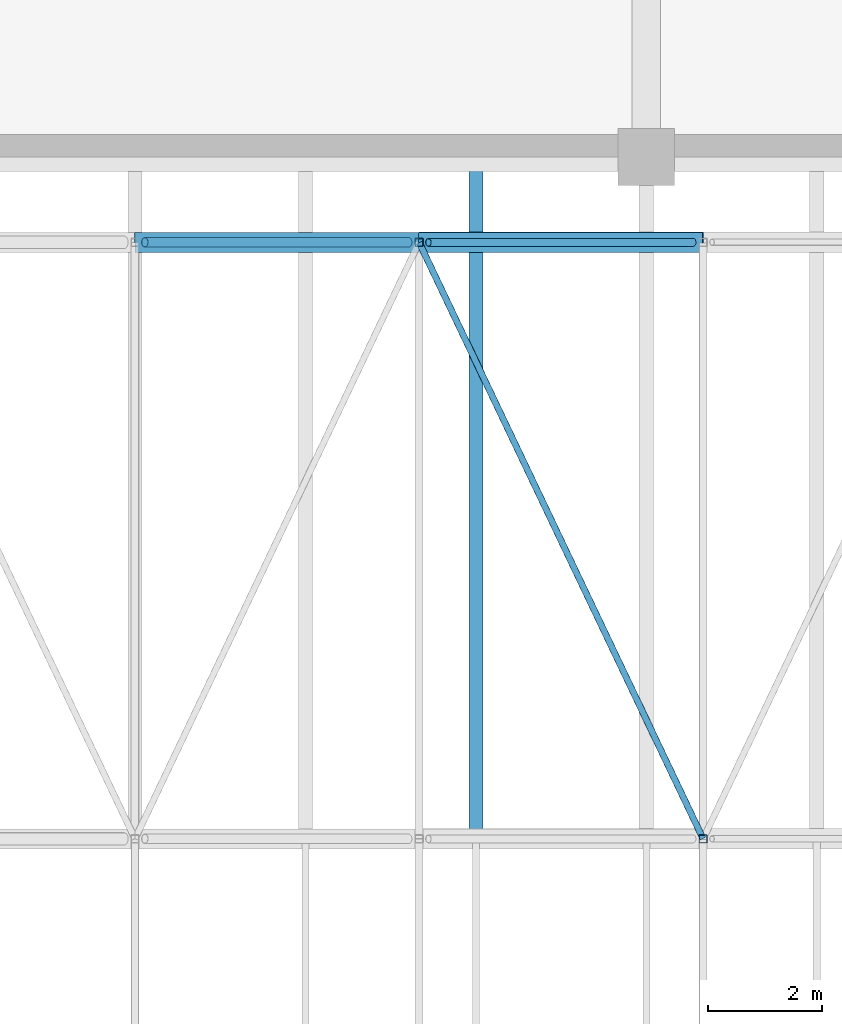
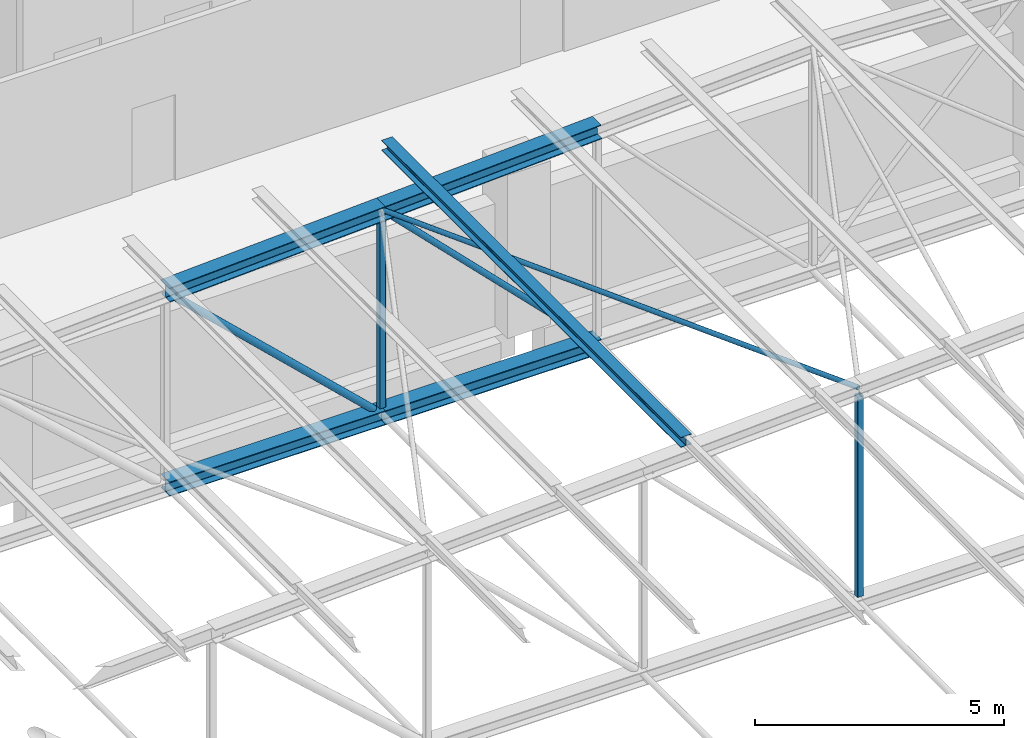
# One storey, part 113 of 156: 10 members.
"""IFC4 building model written with IfcOpenShell, lengths in metres."""

import ifcopenshell
import ifcopenshell.guid

model = None  # the IFC model being written
_history = None  # IfcOwnerHistory: only IFC2X3 demands one
_inside = {}  # id of a spatial element -> (the spatial element, [elements in it])
_under = {}  # id of a project, library or spatial element -> (it, [spatial elements below it])
_declared = {}  # id of a project -> (the project, [libraries it declares])
_typed = {}  # id of a type object -> (the type object, [elements of that type])
_made_of = {}  # id of a material, layer set ... -> (it, [elements and type objects made of it])


def new_model(schema):
    """Start an empty IFC model of exactly this schema.

    Asked for "IFC4X3", IfcOpenShell would pick the latest addendum, in which some entities
    have other attributes; the version numbers below select the first issue.
    IFC2X3 requires an IfcOwnerHistory on every rooted entity: one is made here for all.
    """
    global model, _history
    if schema == "IFC4X3":
        model = ifcopenshell.file(schema_version=(4, 3, 0, 0))
    else:
        model = ifcopenshell.file(schema=schema)
    _inside.clear()
    _under.clear()
    _declared.clear()
    _typed.clear()
    _made_of.clear()
    _history = None
    if model.schema == "IFC2X3":
        org = make("IfcOrganization", Name="unknown")
        user = make(
            "IfcPersonAndOrganization",
            ThePerson=make("IfcPerson", FamilyName="unknown"),
            TheOrganization=org,
        )
        app = make(
            "IfcApplication",
            ApplicationDeveloper=org,
            Version="unknown",
            ApplicationFullName="unknown",
            ApplicationIdentifier="unknown",
        )
        _history = make(
            "IfcOwnerHistory",
            OwningUser=user,
            OwningApplication=app,
            ChangeAction="ADDED",
            CreationDate=0,
        )
    return model


def make(cls, **values):
    """One entity of the class cls with the attributes given. An attribute that is None is left unset."""
    return model.create_entity(
        cls, **{name: value for name, value in values.items() if value is not None}
    )


def rooted(cls, **values):
    """An entity with a GlobalId (a new one), such as an element, a storey or a relation."""
    return make(cls, GlobalId=ifcopenshell.guid.new(), OwnerHistory=_history, **values)


def si_unit(unit_type, name, prefix=None):
    """IfcSIUnit, for example si_unit("LENGTHUNIT", "METRE", prefix="MILLI")."""
    return make("IfcSIUnit", UnitType=unit_type, Prefix=prefix, Name=name)


def assignment(units):
    """IfcUnitAssignment: the units of a project."""
    return None if units is None else make("IfcUnitAssignment", Units=units)


def point(xyz):
    """IfcCartesianPoint."""
    return None if xyz is None else make("IfcCartesianPoint", Coordinates=xyz)


def direction(xyz):
    """IfcDirection."""
    return None if xyz is None else make("IfcDirection", DirectionRatios=xyz)


def frame(location, z_axis=None, x_axis=None):
    """IfcAxis2Placement3D, a coordinate frame: its origin and axes. An axis left out is left unset."""
    return make(
        "IfcAxis2Placement3D",
        Location=point(location),
        Axis=direction(z_axis),
        RefDirection=direction(x_axis),
    )


def frame_2d(location, x_axis=None):
    """IfcAxis2Placement2D, a coordinate frame in the plane: its origin and x axis."""
    return make(
        "IfcAxis2Placement2D", Location=point(location), RefDirection=direction(x_axis)
    )


def origin():
    """The frame at (0, 0, 0) with its axes left unset."""
    return frame((0.0, 0.0, 0.0))


def origin_2d():
    """The frame at (0, 0) in the plane with its x axis left unset."""
    return frame_2d((0.0, 0.0))


def place(relative_to, where):
    """IfcLocalPlacement: puts the frame where relative to a parent placement (None: the world)."""
    return make(
        "IfcLocalPlacement", PlacementRelTo=relative_to, RelativePlacement=where
    )


def context(
    kind, dimensions, precision=None, world=None, true_north=None, identifier=None
):
    """IfcGeometricRepresentationContext, for example the 3D "Model" context."""
    return make(
        "IfcGeometricRepresentationContext",
        ContextIdentifier=identifier,
        ContextType=kind,
        CoordinateSpaceDimension=dimensions,
        Precision=precision,
        WorldCoordinateSystem=world,
        TrueNorth=true_north,
    )


def subcontext(parent, identifier, kind, view, scale=None):
    """IfcGeometricRepresentationSubContext, for example "Body" below "Model"."""
    return make(
        "IfcGeometricRepresentationSubContext",
        ContextIdentifier=identifier,
        ContextType=kind,
        ParentContext=parent,
        TargetScale=scale,
        TargetView=view,
    )


def project(units=None, contexts=None):
    """IfcProject with its units and contexts."""
    return rooted(
        "IfcProject",
        Name="project",
        RepresentationContexts=contexts,
        UnitsInContext=assignment(units),
    )


def spatial(cls, under=None, at=None, **own):
    """A site, building, storey or space (cls), placed at a placement, below another one or the project."""
    s = rooted(cls, ObjectPlacement=at, **own)
    if under is not None:
        _under.setdefault(under.id(), (under, []))[1].append(s)
    return s


def profile(cls, at=None, kind="AREA", **sizes):
    """A parametric profile (cls). Its sizes go by their IFC names, for example OverallWidth=200.0."""
    return make(cls, ProfileType=kind, Position=at, **sizes)


def hollow_rectangle(**sizes):
    """IfcRectangleHollowProfileDef."""
    return profile("IfcRectangleHollowProfileDef", **sizes)


def hollow_circle(**sizes):
    """IfcCircleHollowProfileDef."""
    return profile("IfcCircleHollowProfileDef", **sizes)


def i_section(**sizes):
    """IfcIShapeProfileDef."""
    return profile("IfcIShapeProfileDef", **sizes)


def extrude(swept, where, along, depth):
    """IfcExtrudedAreaSolid: the profile swept, set in the frame where, extruded along a direction by depth."""
    return make(
        "IfcExtrudedAreaSolid",
        SweptArea=swept,
        Position=where,
        ExtrudedDirection=direction(along),
        Depth=depth,
    )


def shape(context_of_items, identifier, shape_type, items):
    """IfcShapeRepresentation: the items that make up one representation, for example the "Body"."""
    return make(
        "IfcShapeRepresentation",
        ContextOfItems=context_of_items,
        RepresentationIdentifier=identifier,
        RepresentationType=shape_type,
        Items=items,
    )


def material(Name=None, Category=None):
    """IfcMaterial."""
    return make("IfcMaterial", Name=Name, Category=Category)


def material_profile(
    of_material, cross_section, Name=None, Category=None, Priority=None
):
    """IfcMaterialProfile: a cross section and its material."""
    return make(
        "IfcMaterialProfile",
        Name=Name,
        Material=of_material,
        Profile=cross_section,
        Priority=Priority,
        Category=Category,
    )


def profile_set(profiles, Name=None, composite=None):
    """IfcMaterialProfileSet."""
    return make(
        "IfcMaterialProfileSet",
        Name=Name,
        MaterialProfiles=profiles,
        CompositeProfile=composite,
    )


def made_of(thing, what):
    """Note that an element or type object is made of a material, layer set ...; save() writes the relation."""
    if what is not None:
        _made_of.setdefault(what.id(), (what, []))[1].append(thing)
    return thing


def type_object(cls, material=None, **own):
    """A type object (cls), such as IfcWallType, which elements share."""
    return made_of(rooted(cls, **own), material)


def element(
    cls,
    number,
    at=None,
    inside=None,
    cuts=None,
    type_object=None,
    material=None,
    context=None,
    identifier="Body",
    shape_type=None,
    held_by="IfcProductDefinitionShape",
    body=None,
    shapes=None,
    **own,
):
    """One element of the class cls, such as IfcWall. Its Tag is "e" and its number.

    at: its placement. inside: the storey or other place that contains it. cuts: it is an
    opening in that element (IfcRelVoidsElement). A single representation is given by context,
    identifier, shape_type and body (its items); several are given by shapes. held_by: the class
    of the entity that holds the representations. save() writes the other relations.
    """
    e = rooted(cls, Tag="e%d" % number, ObjectPlacement=at, **own)
    if body is not None:
        shapes = [shape(context, identifier, shape_type, body)]
    if shapes is not None:
        e.Representation = make(held_by, Representations=shapes)
    if inside is not None:
        _inside.setdefault(inside.id(), (inside, []))[1].append(e)
    if cuts is not None:
        rooted(
            "IfcRelVoidsElement", RelatingBuildingElement=cuts, RelatedOpeningElement=e
        )
    if type_object is not None:
        _typed.setdefault(type_object.id(), (type_object, []))[1].append(e)
    return made_of(e, material)


def aggregate(whole, parts):
    """IfcRelAggregates: a whole, such as a stair, and the parts it consists of."""
    return rooted("IfcRelAggregates", RelatingObject=whole, RelatedObjects=parts)


def save(model, path):
    """Write the relations noted so far, then the file.

    IfcRelAggregates (storeys below a building ...), IfcRelContainedInSpatialStructure (elements
    in a storey), IfcRelDefinesByType, IfcRelAssociatesMaterial and IfcRelDeclares: one each for
    every whole, place, type object, material and project.
    """
    for whole, parts in _under.values():
        aggregate(whole, parts)
    for where, things in _inside.values():
        rooted(
            "IfcRelContainedInSpatialStructure",
            RelatedElements=things,
            RelatingStructure=where,
        )
    for kind, things in _typed.values():
        rooted("IfcRelDefinesByType", RelatedObjects=things, RelatingType=kind)
    for what, things in _made_of.values():
        rooted("IfcRelAssociatesMaterial", RelatedObjects=things, RelatingMaterial=what)
    for by, libraries in _declared.values():
        rooted("IfcRelDeclares", RelatingContext=by, RelatedDefinitions=libraries)
    model.write(path)


model = new_model("IFC4")

# Units and contexts
model_context = context("Model", 3, precision=1e-05, world=origin(), true_north=direction((0.0, 1.0)))
body_context = subcontext(model_context, "Body", "Model", "MODEL_VIEW")
ifc_project = project(units=[si_unit("LENGTHUNIT", "METRE"), si_unit("AREAUNIT", "SQUARE_METRE"), si_unit("VOLUMEUNIT", "CUBIC_METRE"), si_unit("PLANEANGLEUNIT", "RADIAN"), si_unit("MASSUNIT", "GRAM", prefix="KILO")], contexts=[model_context])

# Site, building, storey
site_placement = place(None, origin())
site = spatial("IfcSite", under=ifc_project, at=site_placement, CompositionType="ELEMENT")
building_placement = place(site_placement, origin())
building = spatial("IfcBuilding", under=site, at=building_placement, Name="Lilac Gate Convention Centre", CompositionType="ELEMENT")
storey_placement = place(building_placement, frame((0.0, 0.0, 17.0)))
storey = spatial("IfcBuildingStorey", under=building, at=storey_placement, Name="L03", CompositionType="ELEMENT", Elevation=17.0)

# Members
ifc_material = material(Name="Steel Q355B", Category="steel")
ifc_material_profile_1 = material_profile(ifc_material, hollow_circle(Radius=0.05712890625, WallThickness=0.0048828125, at=origin_2d()), Name="CHS114.3x5")
ifc_profile_set_1 = profile_set([ifc_material_profile_1], Name="Steel Q355B")
member_type_1 = type_object("IfcMemberType", Name="Roof plane bracing CHS114.3x5", PredefinedType="BRACE", material=ifc_profile_set_1)
member_1_placement = place(storey_placement, frame((50.0029296875, 220.493896484375, 5.0), z_axis=(0.429830782979, -0.902653049237, 0.021516754095), x_axis=(0.902862072779, 0.429930317072, 0.0)))
element("IfcMember", 1, at=member_1_placement, inside=storey, type_object=member_type_1, Name="BR1 plan bracing bay 16 panel 5", PredefinedType="BRACE", context=body_context, shape_type="SweptSolid", body=[
    extrude(hollow_circle(Radius=0.05712890625, WallThickness=0.0048828125, at=origin_2d()), origin(), (0.0, 0.0, 1.0), 11.618896484375),
])
ifc_material_profile_2 = material_profile(ifc_material, i_section(OverallWidth=0.25, OverallDepth=0.25, WebThickness=0.009033203125, FlangeThickness=0.013916015625, FilletRadius=0.012939453125, at=origin_2d()), Name="HW250x250x9x14")
ifc_profile_set_2 = profile_set([ifc_material_profile_2], Name="Steel Q355B")
member_type_2 = type_object("IfcMemberType", Name="Roof purlin HW250x250x9x14", PredefinedType="PURLIN", material=ifc_profile_set_2)
member_2_placement = place(storey_placement, frame((51.0, 210.0, 5.35009765625), z_axis=(0.0, 1.0, 0.0), x_axis=(-1.0, 0.0, 0.0)))
element("IfcMember", 2, at=member_2_placement, inside=storey, type_object=member_type_2, Name="PU1 purlin bay 16 line 8", PredefinedType="PURLIN", context=body_context, shape_type="SweptSolid", body=[
    extrude(i_section(OverallWidth=0.25, OverallDepth=0.25, WebThickness=0.009033203125, FlangeThickness=0.013916015625, FilletRadius=0.012939453125, at=origin_2d()), origin(), (0.0, 0.0, 1.0), 12.0),
])
ifc_material_profile_3 = material_profile(ifc_material, i_section(OverallWidth=0.35009765625, OverallDepth=0.35009765625, WebThickness=0.011962890625, FlangeThickness=0.01904296875, FilletRadius=0.012939453125, at=origin_2d()), Name="HW350x350x12x19")
ifc_profile_set_3 = profile_set([ifc_material_profile_3], Name="Steel Q355B")
member_type_3 = type_object("IfcMemberType", Name="Truss bottom chord HW350x350x12x19", PredefinedType="CHORD", material=ifc_profile_set_3)
member_3_placement = place(storey_placement, frame((45.0, 220.5, 0.0), z_axis=(1.0, 0.0, 0.0), x_axis=(0.0, 1.0, 0.0)))
element("IfcMember", 3, at=member_3_placement, inside=storey, type_object=member_type_3, Name="TB2 truss 17 bottom chord 4", PredefinedType="CHORD", context=body_context, shape_type="SweptSolid", body=[
    extrude(i_section(OverallWidth=0.35009765625, OverallDepth=0.35009765625, WebThickness=0.011962890625, FlangeThickness=0.01904296875, FilletRadius=0.012939453125, at=origin_2d()), origin(), (0.0, 0.0, 1.0), 5.0),
])
ifc_material_profile_4 = material_profile(ifc_material, i_section(OverallWidth=0.35693359375, OverallDepth=0.35009765625, WebThickness=0.01904296875, FlangeThickness=0.01904296875, FilletRadius=0.012939453125, at=origin_2d()), Name="HW350x357x19x19")
ifc_profile_set_4 = profile_set([ifc_material_profile_4], Name="Steel Q355B")
member_type_4 = type_object("IfcMemberType", Name="Truss bottom chord HW350x357x19x19", PredefinedType="CHORD", material=ifc_profile_set_4)
member_4_placement = place(storey_placement, frame((50.0, 220.5, 0.0), z_axis=(1.0, 0.0, 0.0), x_axis=(0.0, 1.0, 0.0)))
element("IfcMember", 4, at=member_4_placement, inside=storey, type_object=member_type_4, Name="TB3 truss 17 bottom chord 5", PredefinedType="CHORD", context=body_context, shape_type="SweptSolid", body=[
    extrude(i_section(OverallWidth=0.35693359375, OverallDepth=0.35009765625, WebThickness=0.01904296875, FlangeThickness=0.01904296875, FilletRadius=0.012939453125, at=origin_2d()), origin(), (0.0, 0.0, 1.0), 5.0),
])
ifc_material_profile_5 = material_profile(ifc_material, hollow_circle(Radius=0.06982421875, WallThickness=0.006103515625, at=origin_2d()), Name="CHS139.7x6")
ifc_profile_set_5 = profile_set([ifc_material_profile_5], Name="Steel Q355B")
member_type_5 = type_object("IfcMemberType", Name="Truss diagonal CHS139.7x6", PredefinedType="BRACE", material=ifc_profile_set_5)
member_5_placement = place(storey_placement, frame((50.164306640625, 220.5, 4.835693359375), z_axis=(0.707106781187, 0.0, -0.707106781187), x_axis=(0.0, 1.0, 0.0)))
element("IfcMember", 5, at=member_5_placement, inside=storey, type_object=member_type_5, Name="TW5 truss 17 diagonal 5", PredefinedType="BRACE", context=body_context, shape_type="SweptSolid", body=[
    extrude(hollow_circle(Radius=0.06982421875, WallThickness=0.006103515625, at=origin_2d()), origin(), (0.0, 0.0, 1.0), 6.591064453125),
])
ifc_material_profile_6 = material_profile(ifc_material, hollow_circle(Radius=0.084228515625, WallThickness=0.006103515625, at=origin_2d()), Name="CHS168.3x6")
ifc_profile_set_6 = profile_set([ifc_material_profile_6], Name="Steel Q355B")
member_type_6 = type_object("IfcMemberType", Name="Truss diagonal CHS168.3x6", PredefinedType="BRACE", material=ifc_profile_set_6)
member_6_placement = place(storey_placement, frame((45.1728515625, 220.5, 4.585693359375), z_axis=(0.725020373275, 0.0, -0.688727419475), x_axis=(0.0, 1.0, 0.0)))
element("IfcMember", 6, at=member_6_placement, inside=storey, type_object=member_type_6, Name="TW4 truss 17 diagonal 4", PredefinedType="BRACE", context=body_context, shape_type="SweptSolid", body=[
    extrude(hollow_circle(Radius=0.084228515625, WallThickness=0.006103515625, at=origin_2d()), origin(), (0.0, 0.0, 1.0), 6.404052734375),
])
ifc_material_profile_7 = material_profile(ifc_material, i_section(OverallWidth=0.35009765625, OverallDepth=0.35009765625, WebThickness=0.011962890625, FlangeThickness=0.01904296875, FilletRadius=0.012939453125, at=origin_2d()), Name="HW350x350x12x19")
ifc_profile_set_7 = profile_set([ifc_material_profile_7], Name="Steel Q355B")
member_type_7 = type_object("IfcMemberType", Name="Truss top chord HW350x350x12x19", PredefinedType="CHORD", material=ifc_profile_set_7)
for number, where, z_axis, x_axis, name in (
    (7, (45.0, 220.5, 4.75), (0.998752338878, 0.0, 0.049937616944), (0.0, 1.0, 0.0), "TT2 truss 17 top chord 4"),
    (8, (50.0, 220.5, 5.0), (0.998752338878, 0.0, 0.049937616944), (0.0, 1.0, 0.0), "TT2 truss 17 top chord 5"),
):
    element("IfcMember", number, at=place(storey_placement, frame(where, z_axis=z_axis, x_axis=x_axis)), inside=storey, type_object=member_type_7, Name=name, PredefinedType="CHORD", context=body_context, shape_type="SweptSolid", body=[
        extrude(i_section(OverallWidth=0.35009765625, OverallDepth=0.35009765625, WebThickness=0.011962890625, FlangeThickness=0.01904296875, FilletRadius=0.012939453125, at=origin_2d()), origin(), (0.0, 0.0, 1.0), 5.00634765625),
    ])
ifc_material_profile_8 = material_profile(ifc_material, hollow_rectangle(XDim=0.139892578125, YDim=0.139892578125, WallThickness=0.0048828125, InnerFilletRadius=0.0048828125, OuterFilletRadius=0.010009765625, at=origin_2d()), Name="SHS140x140x5")
ifc_profile_set_8 = profile_set([ifc_material_profile_8], Name="Steel Q355B")
member_type_8 = type_object("IfcMemberType", Name="Truss vertical SHS140x140x5", PredefinedType="STRUT", material=ifc_profile_set_8)
member_7_placement = place(storey_placement, frame((55.0, 210.0, 0.175048828125), z_axis=(0.0, 0.0, 1.0), x_axis=(1.0, 0.0, 0.0)))
element("IfcMember", 9, at=member_7_placement, inside=storey, type_object=member_type_8, Name="TV4 truss 16 vertical 6", PredefinedType="STRUT", context=body_context, shape_type="SweptSolid", body=[
    extrude(hollow_rectangle(XDim=0.139892578125, YDim=0.139892578125, WallThickness=0.0048828125, InnerFilletRadius=0.0048828125, OuterFilletRadius=0.010009765625, at=origin_2d()), origin(), (0.0, 0.0, 1.0), 4.899658203125),
])
member_8_placement = place(storey_placement, frame((50.0, 220.5, 0.175048828125), z_axis=(0.0, 0.0, 1.0), x_axis=(1.0, 0.0, 0.0)))
element("IfcMember", 10, at=member_8_placement, inside=storey, type_object=member_type_8, Name="TV4 truss 17 vertical 5", PredefinedType="STRUT", context=body_context, shape_type="SweptSolid", body=[
    extrude(hollow_rectangle(XDim=0.139892578125, YDim=0.139892578125, WallThickness=0.0048828125, InnerFilletRadius=0.0048828125, OuterFilletRadius=0.010009765625, at=origin_2d()), origin(), (0.0, 0.0, 1.0), 4.649658203125),
])

save(model, "model.ifc")
